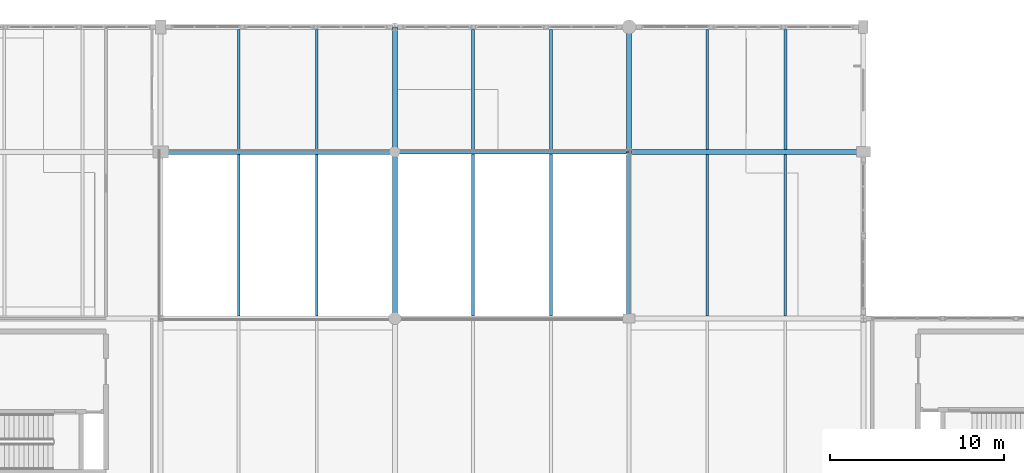
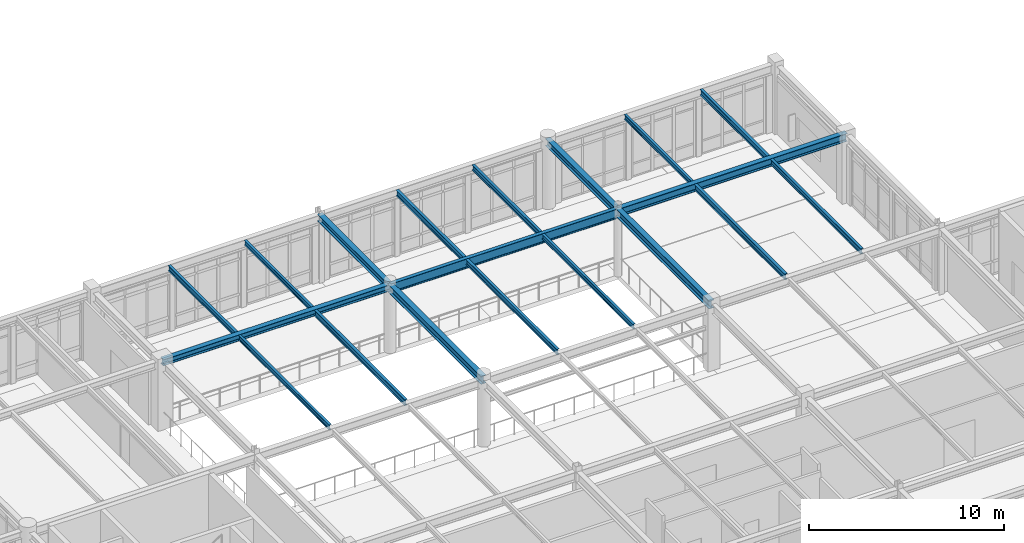
# One storey, part 24 of 61: 19 beams.
"""IFC4 building model written with IfcOpenShell, lengths in metres."""

import ifcopenshell
import ifcopenshell.guid

model = None  # the IFC model being written
_history = None  # IfcOwnerHistory: only IFC2X3 demands one
_inside = {}  # id of a spatial element -> (the spatial element, [elements in it])
_under = {}  # id of a project, library or spatial element -> (it, [spatial elements below it])
_declared = {}  # id of a project -> (the project, [libraries it declares])
_typed = {}  # id of a type object -> (the type object, [elements of that type])
_made_of = {}  # id of a material, layer set ... -> (it, [elements and type objects made of it])


def new_model(schema):
    """Start an empty IFC model of exactly this schema.

    Asked for "IFC4X3", IfcOpenShell would pick the latest addendum, in which some entities
    have other attributes; the version numbers below select the first issue.
    IFC2X3 requires an IfcOwnerHistory on every rooted entity: one is made here for all.
    """
    global model, _history
    if schema == "IFC4X3":
        model = ifcopenshell.file(schema_version=(4, 3, 0, 0))
    else:
        model = ifcopenshell.file(schema=schema)
    _inside.clear()
    _under.clear()
    _declared.clear()
    _typed.clear()
    _made_of.clear()
    _history = None
    if model.schema == "IFC2X3":
        org = make("IfcOrganization", Name="unknown")
        user = make(
            "IfcPersonAndOrganization",
            ThePerson=make("IfcPerson", FamilyName="unknown"),
            TheOrganization=org,
        )
        app = make(
            "IfcApplication",
            ApplicationDeveloper=org,
            Version="unknown",
            ApplicationFullName="unknown",
            ApplicationIdentifier="unknown",
        )
        _history = make(
            "IfcOwnerHistory",
            OwningUser=user,
            OwningApplication=app,
            ChangeAction="ADDED",
            CreationDate=0,
        )
    return model


def make(cls, **values):
    """One entity of the class cls with the attributes given. An attribute that is None is left unset."""
    return model.create_entity(
        cls, **{name: value for name, value in values.items() if value is not None}
    )


def rooted(cls, **values):
    """An entity with a GlobalId (a new one), such as an element, a storey or a relation."""
    return make(cls, GlobalId=ifcopenshell.guid.new(), OwnerHistory=_history, **values)


def si_unit(unit_type, name, prefix=None):
    """IfcSIUnit, for example si_unit("LENGTHUNIT", "METRE", prefix="MILLI")."""
    return make("IfcSIUnit", UnitType=unit_type, Prefix=prefix, Name=name)


def assignment(units):
    """IfcUnitAssignment: the units of a project."""
    return None if units is None else make("IfcUnitAssignment", Units=units)


def point(xyz):
    """IfcCartesianPoint."""
    return None if xyz is None else make("IfcCartesianPoint", Coordinates=xyz)


def direction(xyz):
    """IfcDirection."""
    return None if xyz is None else make("IfcDirection", DirectionRatios=xyz)


def frame(location, z_axis=None, x_axis=None):
    """IfcAxis2Placement3D, a coordinate frame: its origin and axes. An axis left out is left unset."""
    return make(
        "IfcAxis2Placement3D",
        Location=point(location),
        Axis=direction(z_axis),
        RefDirection=direction(x_axis),
    )


def frame_2d(location, x_axis=None):
    """IfcAxis2Placement2D, a coordinate frame in the plane: its origin and x axis."""
    return make(
        "IfcAxis2Placement2D", Location=point(location), RefDirection=direction(x_axis)
    )


def origin():
    """The frame at (0, 0, 0) with its axes left unset."""
    return frame((0.0, 0.0, 0.0))


def origin_2d():
    """The frame at (0, 0) in the plane with its x axis left unset."""
    return frame_2d((0.0, 0.0))


def place(relative_to, where):
    """IfcLocalPlacement: puts the frame where relative to a parent placement (None: the world)."""
    return make(
        "IfcLocalPlacement", PlacementRelTo=relative_to, RelativePlacement=where
    )


def context(
    kind, dimensions, precision=None, world=None, true_north=None, identifier=None
):
    """IfcGeometricRepresentationContext, for example the 3D "Model" context."""
    return make(
        "IfcGeometricRepresentationContext",
        ContextIdentifier=identifier,
        ContextType=kind,
        CoordinateSpaceDimension=dimensions,
        Precision=precision,
        WorldCoordinateSystem=world,
        TrueNorth=true_north,
    )


def subcontext(parent, identifier, kind, view, scale=None):
    """IfcGeometricRepresentationSubContext, for example "Body" below "Model"."""
    return make(
        "IfcGeometricRepresentationSubContext",
        ContextIdentifier=identifier,
        ContextType=kind,
        ParentContext=parent,
        TargetScale=scale,
        TargetView=view,
    )


def project(units=None, contexts=None):
    """IfcProject with its units and contexts."""
    return rooted(
        "IfcProject",
        Name="project",
        RepresentationContexts=contexts,
        UnitsInContext=assignment(units),
    )


def spatial(cls, under=None, at=None, **own):
    """A site, building, storey or space (cls), placed at a placement, below another one or the project."""
    s = rooted(cls, ObjectPlacement=at, **own)
    if under is not None:
        _under.setdefault(under.id(), (under, []))[1].append(s)
    return s


def profile(cls, at=None, kind="AREA", **sizes):
    """A parametric profile (cls). Its sizes go by their IFC names, for example OverallWidth=200.0."""
    return make(cls, ProfileType=kind, Position=at, **sizes)


def i_section(**sizes):
    """IfcIShapeProfileDef."""
    return profile("IfcIShapeProfileDef", **sizes)


def extrude(swept, where, along, depth):
    """IfcExtrudedAreaSolid: the profile swept, set in the frame where, extruded along a direction by depth."""
    return make(
        "IfcExtrudedAreaSolid",
        SweptArea=swept,
        Position=where,
        ExtrudedDirection=direction(along),
        Depth=depth,
    )


def shape(context_of_items, identifier, shape_type, items):
    """IfcShapeRepresentation: the items that make up one representation, for example the "Body"."""
    return make(
        "IfcShapeRepresentation",
        ContextOfItems=context_of_items,
        RepresentationIdentifier=identifier,
        RepresentationType=shape_type,
        Items=items,
    )


def material(Name=None, Category=None):
    """IfcMaterial."""
    return make("IfcMaterial", Name=Name, Category=Category)


def material_profile(
    of_material, cross_section, Name=None, Category=None, Priority=None
):
    """IfcMaterialProfile: a cross section and its material."""
    return make(
        "IfcMaterialProfile",
        Name=Name,
        Material=of_material,
        Profile=cross_section,
        Priority=Priority,
        Category=Category,
    )


def profile_set(profiles, Name=None, composite=None):
    """IfcMaterialProfileSet."""
    return make(
        "IfcMaterialProfileSet",
        Name=Name,
        MaterialProfiles=profiles,
        CompositeProfile=composite,
    )


def made_of(thing, what):
    """Note that an element or type object is made of a material, layer set ...; save() writes the relation."""
    if what is not None:
        _made_of.setdefault(what.id(), (what, []))[1].append(thing)
    return thing


def type_object(cls, material=None, **own):
    """A type object (cls), such as IfcWallType, which elements share."""
    return made_of(rooted(cls, **own), material)


def element(
    cls,
    number,
    at=None,
    inside=None,
    cuts=None,
    type_object=None,
    material=None,
    context=None,
    identifier="Body",
    shape_type=None,
    held_by="IfcProductDefinitionShape",
    body=None,
    shapes=None,
    **own,
):
    """One element of the class cls, such as IfcWall. Its Tag is "e" and its number.

    at: its placement. inside: the storey or other place that contains it. cuts: it is an
    opening in that element (IfcRelVoidsElement). A single representation is given by context,
    identifier, shape_type and body (its items); several are given by shapes. held_by: the class
    of the entity that holds the representations. save() writes the other relations.
    """
    e = rooted(cls, Tag="e%d" % number, ObjectPlacement=at, **own)
    if body is not None:
        shapes = [shape(context, identifier, shape_type, body)]
    if shapes is not None:
        e.Representation = make(held_by, Representations=shapes)
    if inside is not None:
        _inside.setdefault(inside.id(), (inside, []))[1].append(e)
    if cuts is not None:
        rooted(
            "IfcRelVoidsElement", RelatingBuildingElement=cuts, RelatedOpeningElement=e
        )
    if type_object is not None:
        _typed.setdefault(type_object.id(), (type_object, []))[1].append(e)
    return made_of(e, material)


def aggregate(whole, parts):
    """IfcRelAggregates: a whole, such as a stair, and the parts it consists of."""
    return rooted("IfcRelAggregates", RelatingObject=whole, RelatedObjects=parts)


def save(model, path):
    """Write the relations noted so far, then the file.

    IfcRelAggregates (storeys below a building ...), IfcRelContainedInSpatialStructure (elements
    in a storey), IfcRelDefinesByType, IfcRelAssociatesMaterial and IfcRelDeclares: one each for
    every whole, place, type object, material and project.
    """
    for whole, parts in _under.values():
        aggregate(whole, parts)
    for where, things in _inside.values():
        rooted(
            "IfcRelContainedInSpatialStructure",
            RelatedElements=things,
            RelatingStructure=where,
        )
    for kind, things in _typed.values():
        rooted("IfcRelDefinesByType", RelatedObjects=things, RelatingType=kind)
    for what, things in _made_of.values():
        rooted("IfcRelAssociatesMaterial", RelatedObjects=things, RelatingMaterial=what)
    for by, libraries in _declared.values():
        rooted("IfcRelDeclares", RelatingContext=by, RelatedDefinitions=libraries)
    model.write(path)


model = new_model("IFC4")

# Units and contexts
model_context = context("Model", 3, precision=1e-05, world=origin(), true_north=direction((0.0, 1.0)))
body_context = subcontext(model_context, "Body", "Model", "MODEL_VIEW")
ifc_project = project(units=[si_unit("LENGTHUNIT", "METRE"), si_unit("AREAUNIT", "SQUARE_METRE"), si_unit("VOLUMEUNIT", "CUBIC_METRE"), si_unit("PLANEANGLEUNIT", "RADIAN"), si_unit("MASSUNIT", "GRAM", prefix="KILO")], contexts=[model_context])

# Site, building, storey
site_placement = place(None, origin())
site = spatial("IfcSite", under=ifc_project, at=site_placement, CompositionType="ELEMENT")
building_placement = place(site_placement, origin())
building = spatial("IfcBuilding", under=site, at=building_placement, Name="Fikremerkos Civic Library", CompositionType="ELEMENT")
storey_placement = place(building_placement, frame((0.0, 0.0, 14.39990234375)))
storey = spatial("IfcBuildingStorey", under=building, at=storey_placement, Name="L03", CompositionType="ELEMENT", Elevation=14.39990234375)

# Beams
ifc_material = material(Name="Steel S355", Category="steel")
ifc_material_profile_1 = material_profile(ifc_material, i_section(OverallWidth=0.169921875, OverallDepth=0.360107421875, WebThickness=0.008056640625, FlangeThickness=0.0126953125, FilletRadius=0.01806640625, at=origin_2d()), Name="IPE 360")
ifc_profile_set_1 = profile_set([ifc_material_profile_1], Name="Steel S355")
beam_type_1 = type_object("IfcBeamType", Name="Floor joist JS-09 IPE 360", PredefinedType="JOIST", material=ifc_profile_set_1)
beam_1_placement = place(storey_placement, frame((68.699951171875, 31.35009765625, 4.0400390625), z_axis=(0.0, 1.0, 0.0), x_axis=(-1.0, 0.0, 0.0)))
element("IfcBeam", 1, at=beam_1_placement, inside=storey, type_object=beam_type_1, Name="Floor joist JS-09 L03 #553", PredefinedType="JOIST", context=body_context, shape_type="SweptSolid", body=[
    extrude(i_section(OverallWidth=0.169921875, OverallDepth=0.360107421875, WebThickness=0.008056640625, FlangeThickness=0.0126953125, FilletRadius=0.01806640625, at=origin_2d()), origin(), (0.0, 0.0, 1.0), 9.2998046875),
])
beam_2_placement = place(storey_placement, frame((77.699951171875, 40.909912109375, 4.0400390625), z_axis=(0.0, 1.0, 0.0), x_axis=(-1.0, 0.0, 0.0)))
element("IfcBeam", 2, at=beam_2_placement, inside=storey, type_object=beam_type_1, Name="Floor joist JS-09 L03 #562", PredefinedType="JOIST", context=body_context, shape_type="SweptSolid", body=[
    extrude(i_section(OverallWidth=0.169921875, OverallDepth=0.360107421875, WebThickness=0.008056640625, FlangeThickness=0.0126953125, FilletRadius=0.01806640625, at=origin_2d()), origin(), (0.0, 0.0, 1.0), 6.940185546875),
])
beam_3_placement = place(storey_placement, frame((91.199951171875, 31.35009765625, 4.0400390625), z_axis=(0.0, 1.0, 0.0), x_axis=(-1.0, 0.0, 0.0)))
element("IfcBeam", 3, at=beam_3_placement, inside=storey, type_object=beam_type_1, Name="Floor joist JS-09 L03 #568", PredefinedType="JOIST", context=body_context, shape_type="SweptSolid", body=[
    extrude(i_section(OverallWidth=0.169921875, OverallDepth=0.360107421875, WebThickness=0.008056640625, FlangeThickness=0.0126953125, FilletRadius=0.01806640625, at=origin_2d()), origin(), (0.0, 0.0, 1.0), 9.2998046875),
])
beam_4_placement = place(storey_placement, frame((95.699951171875, 40.949951171875, 4.0400390625), z_axis=(0.0, 1.0, 0.0), x_axis=(-1.0, 0.0, 0.0)))
element("IfcBeam", 4, at=beam_4_placement, inside=storey, type_object=beam_type_1, Name="Floor joist JS-09 L03 #571", PredefinedType="JOIST", context=body_context, shape_type="SweptSolid", body=[
    extrude(i_section(OverallWidth=0.169921875, OverallDepth=0.360107421875, WebThickness=0.008056640625, FlangeThickness=0.0126953125, FilletRadius=0.01806640625, at=origin_2d()), origin(), (0.0, 0.0, 1.0), 6.900146484375),
])
ifc_material_profile_2 = material_profile(ifc_material, i_section(OverallWidth=0.159912109375, OverallDepth=0.330078125, WebThickness=0.007568359375, FlangeThickness=0.011474609375, FilletRadius=0.01806640625, at=origin_2d()), Name="IPE 330")
ifc_profile_set_2 = profile_set([ifc_material_profile_2], Name="Steel S355")
beam_type_2 = type_object("IfcBeamType", Name="Floor joist JS-10 IPE 330", PredefinedType="JOIST", material=ifc_profile_set_2)
beam_5_placement = place(storey_placement, frame((64.199951171875, 40.949951171875, 4.05517578125), z_axis=(0.0, 1.0, 0.0), x_axis=(-1.0, 0.0, 0.0)))
element("IfcBeam", 5, at=beam_5_placement, inside=storey, type_object=beam_type_2, Name="Floor joist JS-10 L03 #554", PredefinedType="JOIST", context=body_context, shape_type="SweptSolid", body=[
    extrude(i_section(OverallWidth=0.159912109375, OverallDepth=0.330078125, WebThickness=0.007568359375, FlangeThickness=0.011474609375, FilletRadius=0.01806640625, at=origin_2d()), origin(), (0.0, 0.0, 1.0), 6.900146484375),
])
beam_6_placement = place(storey_placement, frame((77.699951171875, 31.35009765625, 4.05517578125), z_axis=(0.0, 1.0, 0.0), x_axis=(-1.0, 0.0, 0.0)))
element("IfcBeam", 6, at=beam_6_placement, inside=storey, type_object=beam_type_2, Name="Floor joist JS-10 L03 #560", PredefinedType="JOIST", context=body_context, shape_type="SweptSolid", body=[
    extrude(i_section(OverallWidth=0.159912109375, OverallDepth=0.330078125, WebThickness=0.007568359375, FlangeThickness=0.011474609375, FilletRadius=0.01806640625, at=origin_2d()), origin(), (0.0, 0.0, 1.0), 9.33984375),
])
beam_7_placement = place(storey_placement, frame((82.199951171875, 40.909912109375, 4.05517578125), z_axis=(0.0, 1.0, 0.0), x_axis=(-1.0, 0.0, 0.0)))
element("IfcBeam", 7, at=beam_7_placement, inside=storey, type_object=beam_type_2, Name="Floor joist JS-10 L03 #563", PredefinedType="JOIST", context=body_context, shape_type="SweptSolid", body=[
    extrude(i_section(OverallWidth=0.159912109375, OverallDepth=0.330078125, WebThickness=0.007568359375, FlangeThickness=0.011474609375, FilletRadius=0.01806640625, at=origin_2d()), origin(), (0.0, 0.0, 1.0), 6.940185546875),
])
beam_8_placement = place(storey_placement, frame((95.699951171875, 31.35009765625, 4.05517578125), z_axis=(0.0, 1.0, 0.0), x_axis=(-1.0, 0.0, 0.0)))
element("IfcBeam", 8, at=beam_8_placement, inside=storey, type_object=beam_type_2, Name="Floor joist JS-10 L03 #569", PredefinedType="JOIST", context=body_context, shape_type="SweptSolid", body=[
    extrude(i_section(OverallWidth=0.159912109375, OverallDepth=0.330078125, WebThickness=0.007568359375, FlangeThickness=0.011474609375, FilletRadius=0.01806640625, at=origin_2d()), origin(), (0.0, 0.0, 1.0), 9.2998046875),
])
ifc_material_profile_3 = material_profile(ifc_material, i_section(OverallWidth=0.14990234375, OverallDepth=0.300048828125, WebThickness=0.007080078125, FlangeThickness=0.0107421875, FilletRadius=0.014892578125, at=origin_2d()), Name="IPE 300")
ifc_profile_set_3 = profile_set([ifc_material_profile_3], Name="Steel S355")
beam_type_3 = type_object("IfcBeamType", Name="Floor joist JS-11 IPE 300", PredefinedType="JOIST", material=ifc_profile_set_3)
beam_9_placement = place(storey_placement, frame((64.199951171875, 31.35009765625, 4.070068359375), z_axis=(0.0, 1.0, 0.0), x_axis=(-1.0, 0.0, 0.0)))
element("IfcBeam", 9, at=beam_9_placement, inside=storey, type_object=beam_type_3, Name="Floor joist JS-11 L03 #552", PredefinedType="JOIST", context=body_context, shape_type="SweptSolid", body=[
    extrude(i_section(OverallWidth=0.14990234375, OverallDepth=0.300048828125, WebThickness=0.007080078125, FlangeThickness=0.0107421875, FilletRadius=0.014892578125, at=origin_2d()), origin(), (0.0, 0.0, 1.0), 9.2998046875),
])
beam_10_placement = place(storey_placement, frame((68.699951171875, 40.949951171875, 4.070068359375), z_axis=(0.0, 1.0, 0.0), x_axis=(-1.0, 0.0, 0.0)))
element("IfcBeam", 10, at=beam_10_placement, inside=storey, type_object=beam_type_3, Name="Floor joist JS-11 L03 #555", PredefinedType="JOIST", context=body_context, shape_type="SweptSolid", body=[
    extrude(i_section(OverallWidth=0.14990234375, OverallDepth=0.300048828125, WebThickness=0.007080078125, FlangeThickness=0.0107421875, FilletRadius=0.014892578125, at=origin_2d()), origin(), (0.0, 0.0, 1.0), 6.900146484375),
])
beam_11_placement = place(storey_placement, frame((82.199951171875, 31.35009765625, 4.070068359375), z_axis=(0.0, 1.0, 0.0), x_axis=(-1.0, 0.0, 0.0)))
element("IfcBeam", 11, at=beam_11_placement, inside=storey, type_object=beam_type_3, Name="Floor joist JS-11 L03 #561", PredefinedType="JOIST", context=body_context, shape_type="SweptSolid", body=[
    extrude(i_section(OverallWidth=0.14990234375, OverallDepth=0.300048828125, WebThickness=0.007080078125, FlangeThickness=0.0107421875, FilletRadius=0.014892578125, at=origin_2d()), origin(), (0.0, 0.0, 1.0), 9.33984375),
])
beam_12_placement = place(storey_placement, frame((91.199951171875, 40.949951171875, 4.070068359375), z_axis=(0.0, 1.0, 0.0), x_axis=(-1.0, 0.0, 0.0)))
element("IfcBeam", 12, at=beam_12_placement, inside=storey, type_object=beam_type_3, Name="Floor joist JS-11 L03 #570", PredefinedType="JOIST", context=body_context, shape_type="SweptSolid", body=[
    extrude(i_section(OverallWidth=0.14990234375, OverallDepth=0.300048828125, WebThickness=0.007080078125, FlangeThickness=0.0107421875, FilletRadius=0.014892578125, at=origin_2d()), origin(), (0.0, 0.0, 1.0), 6.900146484375),
])
ifc_material_profile_4 = material_profile(ifc_material, i_section(OverallWidth=0.300048828125, OverallDepth=0.489990234375, WebThickness=0.011962890625, FlangeThickness=0.02294921875, FilletRadius=0.027099609375, at=origin_2d()), Name="HEA 500")
ifc_profile_set_4 = profile_set([ifc_material_profile_4], Name="Steel S355")
beam_type_4 = type_object("IfcBeamType", Name="Primary girder BM-17 HEA 500", PredefinedType="BEAM", material=ifc_profile_set_4)
beam_13_placement = place(storey_placement, frame((73.199951171875, 31.199951171875, 3.97509765625), z_axis=(0.0, 1.0, 0.0), x_axis=(-1.0, 0.0, 0.0)))
element("IfcBeam", 13, at=beam_13_placement, inside=storey, type_object=beam_type_4, Name="Primary girder BM-17 L03 grid 7", PredefinedType="BEAM", context=body_context, shape_type="SweptSolid", body=[
    extrude(i_section(OverallWidth=0.300048828125, OverallDepth=0.489990234375, WebThickness=0.011962890625, FlangeThickness=0.02294921875, FilletRadius=0.027099609375, at=origin_2d()), origin(), (0.0, 0.0, 1.0), 9.60009765625),
])
ifc_material_profile_5 = material_profile(ifc_material, i_section(OverallWidth=0.300048828125, OverallDepth=0.43994140625, WebThickness=0.011474609375, FlangeThickness=0.02099609375, FilletRadius=0.027099609375, at=origin_2d()), Name="HEA 450")
ifc_profile_set_5 = profile_set([ifc_material_profile_5], Name="Steel S355")
beam_type_5 = type_object("IfcBeamType", Name="Primary girder BM-18 HEA 450", PredefinedType="BEAM", material=ifc_profile_set_5)
beam_14_placement = place(storey_placement, frame((73.199951171875, 40.800048828125, 4.0), z_axis=(0.0, 1.0, 0.0), x_axis=(-1.0, 0.0, 0.0)))
element("IfcBeam", 14, at=beam_14_placement, inside=storey, type_object=beam_type_5, Name="Primary girder BM-18 L03 grid 7", PredefinedType="BEAM", context=body_context, shape_type="SweptSolid", body=[
    extrude(i_section(OverallWidth=0.300048828125, OverallDepth=0.43994140625, WebThickness=0.011474609375, FlangeThickness=0.02099609375, FilletRadius=0.027099609375, at=origin_2d()), origin(), (0.0, 0.0, 1.0), 7.199951171875),
])
ifc_material_profile_6 = material_profile(ifc_material, i_section(OverallWidth=0.300048828125, OverallDepth=0.389892578125, WebThickness=0.010986328125, FlangeThickness=0.01904296875, FilletRadius=0.027099609375, at=origin_2d()), Name="HEA 400")
ifc_profile_set_6 = profile_set([ifc_material_profile_6], Name="Steel S355")
beam_type_6 = type_object("IfcBeamType", Name="Primary girder BM-19 HEA 400", PredefinedType="BEAM", material=ifc_profile_set_6)
beam_15_placement = place(storey_placement, frame((59.699951171875, 40.800048828125, 4.025146484375), z_axis=(1.0, 0.0, 0.0), x_axis=(0.0, 1.0, 0.0)))
element("IfcBeam", 15, at=beam_15_placement, inside=storey, type_object=beam_type_6, Name="Primary girder BM-19 L03 grid H", PredefinedType="BEAM", context=body_context, shape_type="SweptSolid", body=[
    extrude(i_section(OverallWidth=0.300048828125, OverallDepth=0.389892578125, WebThickness=0.010986328125, FlangeThickness=0.01904296875, FilletRadius=0.027099609375, at=origin_2d()), origin(), (0.0, 0.0, 1.0), 13.5),
])
ifc_material_profile_7 = material_profile(ifc_material, i_section(OverallWidth=0.219970703125, OverallDepth=0.60009765625, WebThickness=0.011962890625, FlangeThickness=0.01904296875, FilletRadius=0.02392578125, at=origin_2d()), Name="IPE 600")
ifc_profile_set_7 = profile_set([ifc_material_profile_7], Name="Steel S355")
beam_type_7 = type_object("IfcBeamType", Name="Primary girder BM-20 IPE 600", PredefinedType="BEAM", material=ifc_profile_set_7)
beam_16_placement = place(storey_placement, frame((73.199951171875, 40.800048828125, 3.920166015625), z_axis=(1.0, 0.0, 0.0), x_axis=(0.0, 1.0, 0.0)))
element("IfcBeam", 16, at=beam_16_placement, inside=storey, type_object=beam_type_7, Name="Primary girder BM-20 L03 grid H", PredefinedType="BEAM", context=body_context, shape_type="SweptSolid", body=[
    extrude(i_section(OverallWidth=0.219970703125, OverallDepth=0.60009765625, WebThickness=0.011962890625, FlangeThickness=0.01904296875, FilletRadius=0.02392578125, at=origin_2d()), origin(), (0.0, 0.0, 1.0), 13.5),
])
ifc_material_profile_8 = material_profile(ifc_material, i_section(OverallWidth=0.300048828125, OverallDepth=0.5, WebThickness=0.014404296875, FlangeThickness=0.028076171875, FilletRadius=0.027099609375, at=origin_2d()), Name="HEB 500")
ifc_profile_set_8 = profile_set([ifc_material_profile_8], Name="Steel S355")
beam_type_8 = type_object("IfcBeamType", Name="Primary girder BM-22 HEB 500", PredefinedType="BEAM", material=ifc_profile_set_8)
beam_17_placement = place(storey_placement, frame((86.699951171875, 40.800048828125, 3.97021484375), z_axis=(1.0, 0.0, 0.0), x_axis=(0.0, 1.0, 0.0)))
element("IfcBeam", 17, at=beam_17_placement, inside=storey, type_object=beam_type_8, Name="Primary girder BM-22 L03 grid H", PredefinedType="BEAM", context=body_context, shape_type="SweptSolid", body=[
    extrude(i_section(OverallWidth=0.300048828125, OverallDepth=0.5, WebThickness=0.014404296875, FlangeThickness=0.028076171875, FilletRadius=0.027099609375, at=origin_2d()), origin(), (0.0, 0.0, 1.0), 13.5),
])
beam_18_placement = place(storey_placement, frame((86.699951171875, 31.199951171875, 3.97021484375), z_axis=(0.0, 1.0, 0.0), x_axis=(-1.0, 0.0, 0.0)))
element("IfcBeam", 18, at=beam_18_placement, inside=storey, type_object=beam_type_8, Name="Primary girder BM-22 L03 grid 8", PredefinedType="BEAM", context=body_context, shape_type="SweptSolid", body=[
    extrude(i_section(OverallWidth=0.300048828125, OverallDepth=0.5, WebThickness=0.014404296875, FlangeThickness=0.028076171875, FilletRadius=0.027099609375, at=origin_2d()), origin(), (0.0, 0.0, 1.0), 9.60009765625),
])
ifc_material_profile_9 = material_profile(ifc_material, i_section(OverallWidth=0.300048828125, OverallDepth=0.449951171875, WebThickness=0.013916015625, FlangeThickness=0.02587890625, FilletRadius=0.027099609375, at=origin_2d()), Name="HEB 450")
ifc_profile_set_9 = profile_set([ifc_material_profile_9], Name="Steel S355")
beam_type_9 = type_object("IfcBeamType", Name="Primary girder BM-23 HEB 450", PredefinedType="BEAM", material=ifc_profile_set_9)
beam_19_placement = place(storey_placement, frame((86.699951171875, 40.800048828125, 3.9951171875), z_axis=(0.0, 1.0, 0.0), x_axis=(-1.0, 0.0, 0.0)))
element("IfcBeam", 19, at=beam_19_placement, inside=storey, type_object=beam_type_9, Name="Primary girder BM-23 L03 grid 8", PredefinedType="BEAM", context=body_context, shape_type="SweptSolid", body=[
    extrude(i_section(OverallWidth=0.300048828125, OverallDepth=0.449951171875, WebThickness=0.013916015625, FlangeThickness=0.02587890625, FilletRadius=0.027099609375, at=origin_2d()), origin(), (0.0, 0.0, 1.0), 7.199951171875),
])

save(model, "model.ifc")
